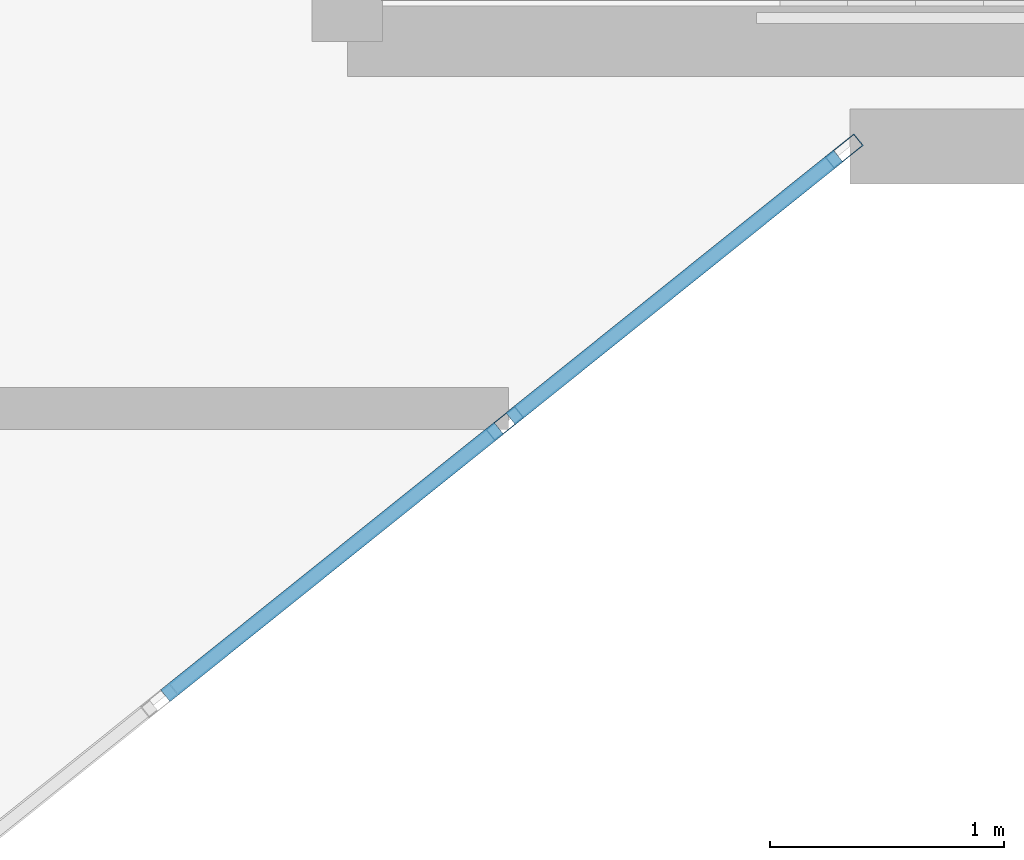
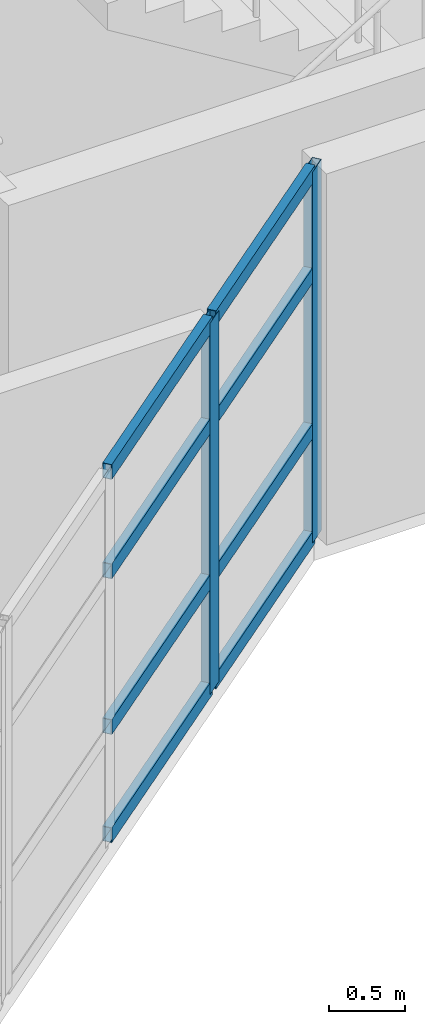
# One storey, part 10 of 39: 10 members, 1 element without a shape of its own.
"""IFC4 building model written with IfcOpenShell, lengths in metres."""

from ifc_helpers import new_model, si_unit, direction, frame, origin, origin_2d, place, context, subcontext, project, spatial, hollow_rectangle, extrude, material, layer, layer_set, material_profile, profile_set, type_object, element, aggregate, save


model = new_model("IFC4")

# Units and contexts
model_context = context("Model", 3, precision=1e-05, world=origin(), true_north=direction((0.0, 1.0)))
body_context = subcontext(model_context, "Body", "Model", "MODEL_VIEW")
ifc_project = project(units=[si_unit("LENGTHUNIT", "METRE"), si_unit("AREAUNIT", "SQUARE_METRE"), si_unit("VOLUMEUNIT", "CUBIC_METRE"), si_unit("PLANEANGLEUNIT", "RADIAN"), si_unit("MASSUNIT", "GRAM", prefix="KILO")], contexts=[model_context])

# Site, building, storey
site_placement = place(None, origin())
site = spatial("IfcSite", under=ifc_project, at=site_placement, CompositionType="ELEMENT")
building_placement = place(site_placement, origin())
building = spatial("IfcBuilding", under=site, at=building_placement, Name="Keldmere Railside Commons", CompositionType="ELEMENT")
storey_placement = place(building_placement, frame((0.0, 0.0, 32.9599609375)))
storey = spatial("IfcBuildingStorey", under=building, at=storey_placement, Name="L10", CompositionType="ELEMENT", Elevation=32.9599609375)

# Curtain wall, members
ifc_material = material(Name="Thermally Broken Aluminium", Category="aluminium")
ifc_layer = layer(ifc_material, 0.159912109375, Name="Court Chord Wintergarden CW 4800x2850")
ifc_layer_set = layer_set([ifc_layer], Name="Thermally Broken Aluminium")
curtain_wall_type = type_object("IfcCurtainWallType", Name="Court Chord Wintergarden CW 4800x2850", PredefinedType="NOTDEFINED", material=ifc_layer_set)
curtain_wall_placement = place(storey_placement, origin())
curtain_wall = element("IfcCurtainWall", 1, at=curtain_wall_placement, inside=storey, type_object=curtain_wall_type, Name="CW-12 CW-L10-147", PredefinedType="NOTDEFINED")
ifc_material_profile_1 = material_profile(ifc_material, hollow_rectangle(XDim=0.06494140625, YDim=0.159912109375, WallThickness=0.00390625, at=origin_2d()), Name="ALU-MULL-65x160")
ifc_profile_set_1 = profile_set([ifc_material_profile_1], Name="Thermally Broken Aluminium")
member_type_1 = type_object("IfcMemberType", Name="Unitised Curtain Wall Mullion 65x160", PredefinedType="MULLION", material=ifc_profile_set_1)
member_1_placement = place(storey_placement, frame((131.974609375, 99.979736328125, 0.0), z_axis=(0.0, 0.0, 1.0), x_axis=(0.625768080915, -0.780009172323, 0.0)))
member_1 = element("IfcMember", 2, at=member_1_placement, type_object=member_type_1, Name="CW-12 mullion 1", PredefinedType="MULLION", context=body_context, shape_type="SweptSolid", body=[
    extrude(hollow_rectangle(XDim=0.06494140625, YDim=0.159912109375, WallThickness=0.00390625, at=origin_2d()), origin(), (0.0, 0.0, 1.0), 2.97998046875),
])
member_2_placement = place(storey_placement, frame((130.5234375, 98.8154296875, 0.0), z_axis=(0.0, 0.0, 1.0), x_axis=(0.625768080915, -0.780009172323, 0.0)))
member_2 = element("IfcMember", 3, at=member_2_placement, type_object=member_type_1, Name="CW-12 mullion 2", PredefinedType="MULLION", context=body_context, shape_type="SweptSolid", body=[
    extrude(hollow_rectangle(XDim=0.06494140625, YDim=0.159912109375, WallThickness=0.00390625, at=origin_2d()), origin(), (0.0, 0.0, 1.0), 2.97998046875),
])
ifc_material_profile_2 = material_profile(ifc_material, hollow_rectangle(XDim=0.06494140625, YDim=0.1201171875, WallThickness=0.00390625, at=origin_2d()), Name="ALU-TRAN-65x120")
ifc_profile_set_2 = profile_set([ifc_material_profile_2], Name="Thermally Broken Aluminium")
member_type_2 = type_object("IfcMemberType", Name="Unitised Curtain Wall Transom 65x120", PredefinedType="USERDEFINED", material=ifc_profile_set_2)
member_3_placement = place(storey_placement, frame((131.94921875, 99.959228515625, 0.032470703125), z_axis=(-0.780045694992, -0.625722553313, 0.0), x_axis=(0.625722553313, -0.780045694992, 0.0)))
member_3 = element("IfcMember", 4, at=member_3_placement, type_object=member_type_2, Name="CW-12 transom 1.1", ObjectType="TRANSOM", PredefinedType="USERDEFINED", context=body_context, shape_type="SweptSolid", body=[
    extrude(hollow_rectangle(XDim=0.06494140625, YDim=0.1201171875, WallThickness=0.00390625, at=origin_2d()), origin(), (0.0, 0.0, 1.0), 1.795654296875),
])
member_4_placement = place(storey_placement, frame((131.94921875, 99.959228515625, 0.900146484375), z_axis=(-0.780045694992, -0.625722553313, 0.0), x_axis=(0.625722553313, -0.780045694992, 0.0)))
member_4 = element("IfcMember", 5, at=member_4_placement, type_object=member_type_2, Name="CW-12 transom 1.2", ObjectType="TRANSOM", PredefinedType="USERDEFINED", context=body_context, shape_type="SweptSolid", body=[
    extrude(hollow_rectangle(XDim=0.06494140625, YDim=0.1201171875, WallThickness=0.00390625, at=origin_2d()), origin(), (0.0, 0.0, 1.0), 1.795654296875),
])
member_5_placement = place(storey_placement, frame((131.94921875, 99.959228515625, 2.150146484375), z_axis=(-0.780045694992, -0.625722553313, 0.0), x_axis=(0.625722553313, -0.780045694992, 0.0)))
member_5 = element("IfcMember", 6, at=member_5_placement, type_object=member_type_2, Name="CW-12 transom 1.3", ObjectType="TRANSOM", PredefinedType="USERDEFINED", context=body_context, shape_type="SweptSolid", body=[
    extrude(hollow_rectangle(XDim=0.06494140625, YDim=0.1201171875, WallThickness=0.00390625, at=origin_2d()), origin(), (0.0, 0.0, 1.0), 1.795654296875),
])
member_6_placement = place(storey_placement, frame((131.94921875, 99.959228515625, 2.947509765625), z_axis=(-0.780045694992, -0.625722553313, 0.0), x_axis=(0.625722553313, -0.780045694992, 0.0)))
member_6 = element("IfcMember", 7, at=member_6_placement, type_object=member_type_2, Name="CW-12 transom 1.4", ObjectType="TRANSOM", PredefinedType="USERDEFINED", context=body_context, shape_type="SweptSolid", body=[
    extrude(hollow_rectangle(XDim=0.06494140625, YDim=0.1201171875, WallThickness=0.00390625, at=origin_2d()), origin(), (0.0, 0.0, 1.0), 1.795654296875),
])
member_7_placement = place(storey_placement, frame((130.498046875, 98.794921875, 0.032470703125), z_axis=(-0.78007338409, -0.625688033635, 0.0), x_axis=(0.625688033635, -0.78007338409, 0.0)))
member_7 = element("IfcMember", 8, at=member_7_placement, type_object=member_type_2, Name="CW-12 transom 2.1", ObjectType="TRANSOM", PredefinedType="USERDEFINED", context=body_context, shape_type="SweptSolid", body=[
    extrude(hollow_rectangle(XDim=0.06494140625, YDim=0.1201171875, WallThickness=0.00390625, at=origin_2d()), origin(), (0.0, 0.0, 1.0), 1.828125),
])
member_8_placement = place(storey_placement, frame((130.498046875, 98.794921875, 0.900146484375), z_axis=(-0.78007338409, -0.625688033635, 0.0), x_axis=(0.625688033635, -0.78007338409, 0.0)))
member_8 = element("IfcMember", 9, at=member_8_placement, type_object=member_type_2, Name="CW-12 transom 2.2", ObjectType="TRANSOM", PredefinedType="USERDEFINED", context=body_context, shape_type="SweptSolid", body=[
    extrude(hollow_rectangle(XDim=0.06494140625, YDim=0.1201171875, WallThickness=0.00390625, at=origin_2d()), origin(), (0.0, 0.0, 1.0), 1.828125),
])
member_9_placement = place(storey_placement, frame((130.498046875, 98.794921875, 2.150146484375), z_axis=(-0.78007338409, -0.625688033635, 0.0), x_axis=(0.625688033635, -0.78007338409, 0.0)))
member_9 = element("IfcMember", 10, at=member_9_placement, type_object=member_type_2, Name="CW-12 transom 2.3", ObjectType="TRANSOM", PredefinedType="USERDEFINED", context=body_context, shape_type="SweptSolid", body=[
    extrude(hollow_rectangle(XDim=0.06494140625, YDim=0.1201171875, WallThickness=0.00390625, at=origin_2d()), origin(), (0.0, 0.0, 1.0), 1.828125),
])
member_10_placement = place(storey_placement, frame((130.498046875, 98.794921875, 2.947509765625), z_axis=(-0.78007338409, -0.625688033635, 0.0), x_axis=(0.625688033635, -0.78007338409, 0.0)))
member_10 = element("IfcMember", 11, at=member_10_placement, type_object=member_type_2, Name="CW-12 transom 2.4", ObjectType="TRANSOM", PredefinedType="USERDEFINED", context=body_context, shape_type="SweptSolid", body=[
    extrude(hollow_rectangle(XDim=0.06494140625, YDim=0.1201171875, WallThickness=0.00390625, at=origin_2d()), origin(), (0.0, 0.0, 1.0), 1.828125),
])
aggregate(curtain_wall, [member_1, member_2, member_3, member_4, member_5, member_6, member_7, member_8, member_9, member_10])

save(model, "model.ifc")
